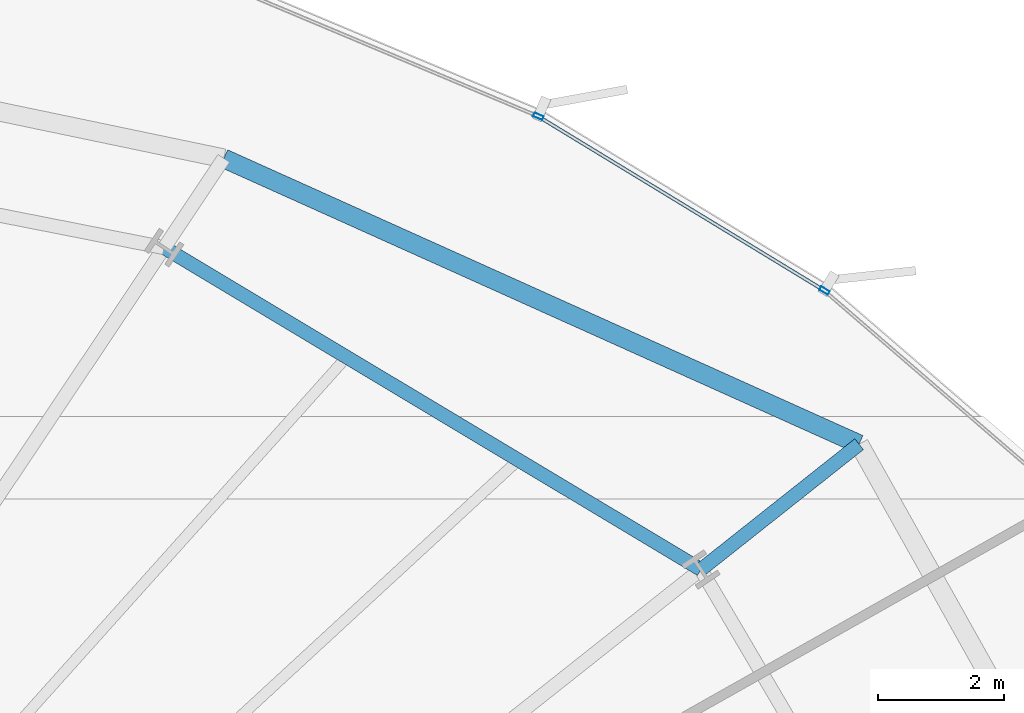
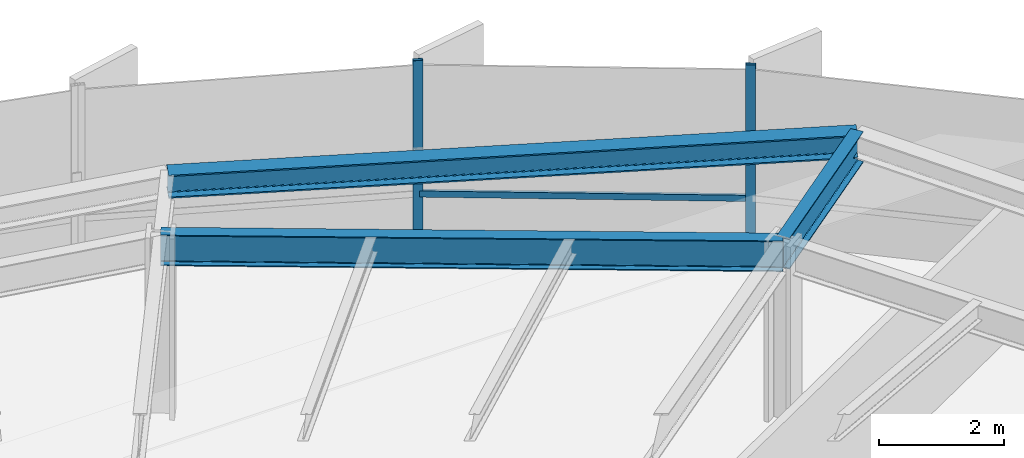
# One storey, part 25 of 38: 3 beams, 3 members, 1 element without a shape of its own.
"""IFC4 building model written with IfcOpenShell, lengths in metres."""

from ifc_helpers import new_model, si_unit, direction, frame, origin, origin_2d, place, context, subcontext, project, spatial, hollow_rectangle, i_section, extrude, source, transform, mapped, material, layer, layer_set, material_profile, profile_set, type_object, element, aggregate, save


model = new_model("IFC4")

# Units and contexts
model_context = context("Model", 3, precision=1e-05, world=origin(), true_north=direction((0.0, 1.0)))
body_context = subcontext(model_context, "Body", "Model", "MODEL_VIEW")
ifc_project = project(units=[si_unit("LENGTHUNIT", "METRE"), si_unit("AREAUNIT", "SQUARE_METRE"), si_unit("VOLUMEUNIT", "CUBIC_METRE"), si_unit("PLANEANGLEUNIT", "RADIAN"), si_unit("MASSUNIT", "GRAM", prefix="KILO"), si_unit("THERMODYNAMICTEMPERATUREUNIT", "KELVIN")], contexts=[model_context])

# Site, building, storey
site_placement = place(None, origin())
site = spatial("IfcSite", under=ifc_project, at=site_placement, CompositionType="ELEMENT")
building_placement = place(site_placement, origin())
building = spatial("IfcBuilding", under=site, at=building_placement, Name="Kethvar Cultural Tower", CompositionType="ELEMENT")
storey_placement = place(building_placement, frame((0.0, 0.0, 52.39990234375)))
storey = spatial("IfcBuildingStorey", under=building, at=storey_placement, Name="L12", CompositionType="ELEMENT", Elevation=52.39990234375)

# Beams
ifc_material_1 = material(Name="Steel S355J2", Category="steel")
ifc_material_profile_1 = material_profile(ifc_material_1, i_section(OverallWidth=0.219970703125, OverallDepth=0.60009765625, WebThickness=0.011962890625, FlangeThickness=0.01904296875, FilletRadius=0.02392578125, at=origin_2d()), Name="Steel S355J2 — IPE600")
ifc_profile_set_1 = profile_set([ifc_material_profile_1], Name="Steel S355J2 — IPE600")
beam_type_1 = type_object("IfcBeamType", Name="BM-IPE600", PredefinedType="BEAM", material=ifc_profile_set_1)
shared_shape_1 = source(origin(), body_context, "Body", "SweptSolid", [
    extrude(i_section(OverallWidth=0.219970703125, OverallDepth=0.60009765625, WebThickness=0.011962890625, FlangeThickness=0.01904296875, FilletRadius=0.02392578125, at=origin_2d()), origin(), (0.0, 0.0, 1.0), 3.199951171875),
])
beam_1_placement = place(storey_placement, frame((68.33642578125, 42.190185546875, 3.248046875), z_axis=(0.783844666756, 0.62095695374, 0.0), x_axis=(-0.62095695374, 0.783844666756, 0.0)))
element("IfcBeam", 1, at=beam_1_placement, inside=storey, type_object=beam_type_1, Name="L12 Perimeter Cantilever Beam RC-02", PredefinedType="BEAM", context=body_context, shape_type="MappedRepresentation", body=[
    mapped(shared_shape_1, transform((0.0, 0.0, 0.0), scale=1.0)),
])
shared_shape_2 = source(origin(), body_context, "Body", "SweptSolid", [
    extrude(i_section(OverallWidth=0.219970703125, OverallDepth=0.60009765625, WebThickness=0.011962890625, FlangeThickness=0.01904296875, FilletRadius=0.02392578125, at=origin_2d()), origin(), (0.0, 0.0, 1.0), 9.924072265625),
])
beam_2_placement = place(storey_placement, frame((68.33642578125, 42.190185546875, 3.248046875), z_axis=(-0.857664361463, 0.514209921215, 0.0), x_axis=(-0.514209921215, -0.857664361463, 0.0)))
element("IfcBeam", 2, at=beam_2_placement, inside=storey, type_object=beam_type_1, Name="L12 Column Ring Tie Beam CR-02", PredefinedType="BEAM", context=body_context, shape_type="MappedRepresentation", body=[
    mapped(shared_shape_2, transform((0.0, 0.0, 0.0), scale=1.0)),
])
ifc_material_profile_2 = material_profile(ifc_material_1, i_section(OverallWidth=0.300048828125, OverallDepth=0.449951171875, WebThickness=0.013916015625, FlangeThickness=0.02587890625, FilletRadius=0.027099609375, at=origin_2d()), Name="Steel S355J2 — HEB450")
ifc_profile_set_2 = profile_set([ifc_material_profile_2], Name="Steel S355J2 — HEB450")
beam_type_2 = type_object("IfcBeamType", Name="BM-SP450", PredefinedType="SPANDREL", material=ifc_profile_set_2)
shared_shape_3 = source(origin(), body_context, "Body", "SweptSolid", [
    extrude(i_section(OverallWidth=0.300048828125, OverallDepth=0.449951171875, WebThickness=0.013916015625, FlangeThickness=0.02587890625, FilletRadius=0.027099609375, at=origin_2d()), origin(), (0.0, 0.0, 1.0), 11.046142578125),
])
beam_3_placement = place(storey_placement, frame((70.8447265625, 44.17724609375, 3.322998046875), z_axis=(-0.911982286321, 0.410229581378, 0.0), x_axis=(-0.410229581378, -0.911982286321, 0.0)))
element("IfcBeam", 3, at=beam_3_placement, inside=storey, type_object=beam_type_2, Name="L12 Perimeter Spandrel Beam SP-02", PredefinedType="SPANDREL", context=body_context, shape_type="MappedRepresentation", body=[
    mapped(shared_shape_3, transform((0.0, 0.0, 0.0), scale=1.0)),
])

# Curtain wall, members
ifc_material_2 = material(Name="Aluminium 6063-T6", Category="aluminium")
ifc_layer = layer(ifc_material_2, 0.179931640625, Name="Aluminium 6063-T6", Category="aluminium")
ifc_layer_set = layer_set([ifc_layer], Name="Aluminium 6063-T6 (180 mm)")
curtain_wall_type = type_object("IfcCurtainWallType", Name="CW-SYS-02-Z1", PredefinedType="NOTDEFINED", material=ifc_layer_set)
curtain_wall_placement = place(storey_placement, origin())
curtain_wall = element("IfcCurtainWall", 4, at=curtain_wall_placement, inside=storey, type_object=curtain_wall_type, Name="L12 Curtain Wall Run 01", PredefinedType="NOTDEFINED")
ifc_material_profile_3 = material_profile(ifc_material_2, hollow_rectangle(XDim=0.06494140625, YDim=0.159912109375, WallThickness=0.0048828125, at=origin_2d()), Name="Aluminium 6063-T6 — RHS160x65x5")
ifc_profile_set_3 = profile_set([ifc_material_profile_3], Name="Aluminium 6063-T6 — RHS160x65x5")
member_type_1 = type_object("IfcMemberType", Name="CW-SYS-02-Z1-MUL", PredefinedType="MULLION", material=ifc_profile_set_3)
shared_shape_4 = source(origin(), body_context, "Body", "SweptSolid", [
    extrude(hollow_rectangle(XDim=0.06494140625, YDim=0.159912109375, WallThickness=0.0048828125, at=origin_2d()), origin(), (0.0, 0.0, 1.0), 3.550048828125),
])
member_1_placement = place(storey_placement, frame((70.2939453125, 46.61279296875, 0.0), z_axis=(0.0, 0.0, 1.0), x_axis=(-0.519981342533, -0.854177618191, 0.0)))
member_1 = element("IfcMember", 5, at=member_1_placement, type_object=member_type_1, Name="CW-L12-R01 Mullion 5", PredefinedType="MULLION", context=body_context, shape_type="MappedRepresentation", body=[
    mapped(shared_shape_4, transform((0.0, 0.0, 0.0), scale=1.0)),
])
member_2_placement = place(storey_placement, frame((65.759765625, 49.37451171875, 0.0), z_axis=(0.0, 0.0, 1.0), x_axis=(-0.386984567147, -0.922086191627, 0.0)))
member_2 = element("IfcMember", 6, at=member_2_placement, type_object=member_type_1, Name="CW-L12-R01 Mullion 6", PredefinedType="MULLION", context=body_context, shape_type="MappedRepresentation", body=[
    mapped(shared_shape_4, transform((0.0, 0.0, 0.0), scale=1.0)),
])
ifc_material_profile_4 = material_profile(ifc_material_2, hollow_rectangle(XDim=0.054931640625, YDim=0.1201171875, WallThickness=0.00390625, at=origin_2d()), Name="Aluminium 6063-T6 — RHS120x55x4")
ifc_profile_set_4 = profile_set([ifc_material_profile_4], Name="Aluminium 6063-T6 — RHS120x55x4")
member_type_2 = type_object("IfcMemberType", Name="CW-SYS-02-Z1-TRN", PredefinedType="USERDEFINED", material=ifc_profile_set_4)
shared_shape_5 = source(origin(), body_context, "Body", "SweptSolid", [
    extrude(hollow_rectangle(XDim=0.054931640625, YDim=0.1201171875, WallThickness=0.00390625, at=origin_2d()), origin(), (0.0, 0.0, 1.0), 5.2333984375),
])
member_3_placement = place(storey_placement, frame((70.25390625, 46.636962890625, 0.9501953125), z_axis=(-0.854161619523, 0.520007622765, 0.0), x_axis=(-0.520007622765, -0.854161619523, 0.0)))
member_3 = element("IfcMember", 7, at=member_3_placement, type_object=member_type_2, Name="CW-L12-R01 Transom 5", ObjectType="TRANSOM", PredefinedType="USERDEFINED", context=body_context, shape_type="MappedRepresentation", body=[
    mapped(shared_shape_5, transform((0.0, 0.0, 0.0), scale=1.0)),
])
aggregate(curtain_wall, [member_1, member_2, member_3])

save(model, "model.ifc")
